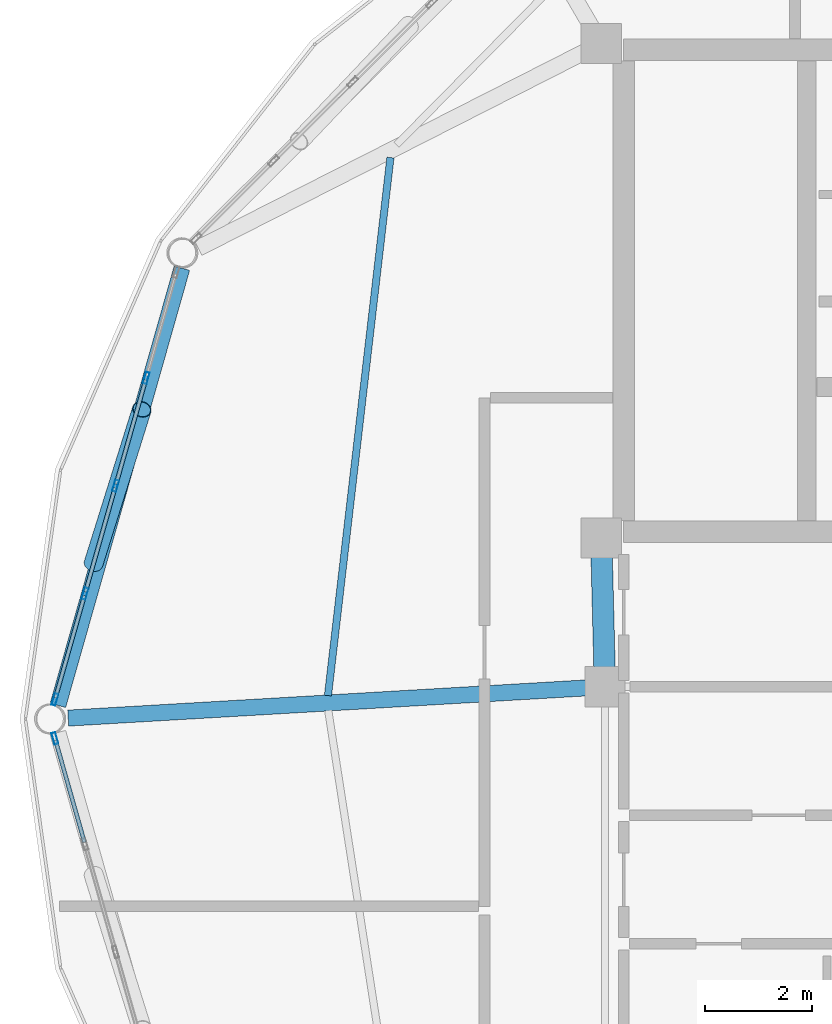
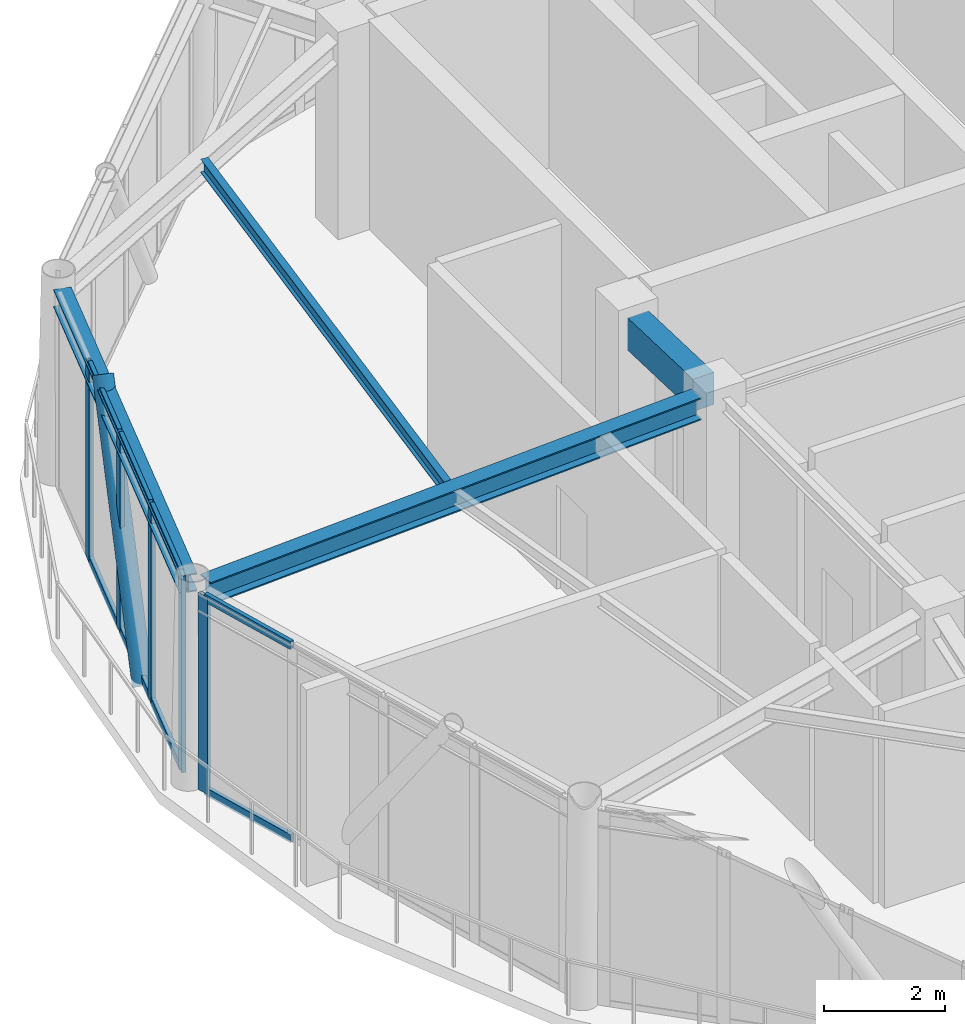
# One storey, part 8 of 21: 14 members, 4 beams, 2 elements without a shape of their own.
"""IFC4 building model written with IfcOpenShell, lengths in metres."""

import ifcopenshell
import ifcopenshell.guid

model = None  # the IFC model being written
_history = None  # IfcOwnerHistory: only IFC2X3 demands one
_inside = {}  # id of a spatial element -> (the spatial element, [elements in it])
_under = {}  # id of a project, library or spatial element -> (it, [spatial elements below it])
_declared = {}  # id of a project -> (the project, [libraries it declares])
_typed = {}  # id of a type object -> (the type object, [elements of that type])
_made_of = {}  # id of a material, layer set ... -> (it, [elements and type objects made of it])


def new_model(schema):
    """Start an empty IFC model of exactly this schema.

    Asked for "IFC4X3", IfcOpenShell would pick the latest addendum, in which some entities
    have other attributes; the version numbers below select the first issue.
    IFC2X3 requires an IfcOwnerHistory on every rooted entity: one is made here for all.
    """
    global model, _history
    if schema == "IFC4X3":
        model = ifcopenshell.file(schema_version=(4, 3, 0, 0))
    else:
        model = ifcopenshell.file(schema=schema)
    _inside.clear()
    _under.clear()
    _declared.clear()
    _typed.clear()
    _made_of.clear()
    _history = None
    if model.schema == "IFC2X3":
        org = make("IfcOrganization", Name="unknown")
        user = make(
            "IfcPersonAndOrganization",
            ThePerson=make("IfcPerson", FamilyName="unknown"),
            TheOrganization=org,
        )
        app = make(
            "IfcApplication",
            ApplicationDeveloper=org,
            Version="unknown",
            ApplicationFullName="unknown",
            ApplicationIdentifier="unknown",
        )
        _history = make(
            "IfcOwnerHistory",
            OwningUser=user,
            OwningApplication=app,
            ChangeAction="ADDED",
            CreationDate=0,
        )
    return model


def make(cls, **values):
    """One entity of the class cls with the attributes given. An attribute that is None is left unset."""
    return model.create_entity(
        cls, **{name: value for name, value in values.items() if value is not None}
    )


def rooted(cls, **values):
    """An entity with a GlobalId (a new one), such as an element, a storey or a relation."""
    return make(cls, GlobalId=ifcopenshell.guid.new(), OwnerHistory=_history, **values)


def si_unit(unit_type, name, prefix=None):
    """IfcSIUnit, for example si_unit("LENGTHUNIT", "METRE", prefix="MILLI")."""
    return make("IfcSIUnit", UnitType=unit_type, Prefix=prefix, Name=name)


def assignment(units):
    """IfcUnitAssignment: the units of a project."""
    return None if units is None else make("IfcUnitAssignment", Units=units)


def point(xyz):
    """IfcCartesianPoint."""
    return None if xyz is None else make("IfcCartesianPoint", Coordinates=xyz)


def direction(xyz):
    """IfcDirection."""
    return None if xyz is None else make("IfcDirection", DirectionRatios=xyz)


def frame(location, z_axis=None, x_axis=None):
    """IfcAxis2Placement3D, a coordinate frame: its origin and axes. An axis left out is left unset."""
    return make(
        "IfcAxis2Placement3D",
        Location=point(location),
        Axis=direction(z_axis),
        RefDirection=direction(x_axis),
    )


def frame_2d(location, x_axis=None):
    """IfcAxis2Placement2D, a coordinate frame in the plane: its origin and x axis."""
    return make(
        "IfcAxis2Placement2D", Location=point(location), RefDirection=direction(x_axis)
    )


def origin():
    """The frame at (0, 0, 0) with its axes left unset."""
    return frame((0.0, 0.0, 0.0))


def origin_2d():
    """The frame at (0, 0) in the plane with its x axis left unset."""
    return frame_2d((0.0, 0.0))


def place(relative_to, where):
    """IfcLocalPlacement: puts the frame where relative to a parent placement (None: the world)."""
    return make(
        "IfcLocalPlacement", PlacementRelTo=relative_to, RelativePlacement=where
    )


def context(
    kind, dimensions, precision=None, world=None, true_north=None, identifier=None
):
    """IfcGeometricRepresentationContext, for example the 3D "Model" context."""
    return make(
        "IfcGeometricRepresentationContext",
        ContextIdentifier=identifier,
        ContextType=kind,
        CoordinateSpaceDimension=dimensions,
        Precision=precision,
        WorldCoordinateSystem=world,
        TrueNorth=true_north,
    )


def subcontext(parent, identifier, kind, view, scale=None):
    """IfcGeometricRepresentationSubContext, for example "Body" below "Model"."""
    return make(
        "IfcGeometricRepresentationSubContext",
        ContextIdentifier=identifier,
        ContextType=kind,
        ParentContext=parent,
        TargetScale=scale,
        TargetView=view,
    )


def project(units=None, contexts=None):
    """IfcProject with its units and contexts."""
    return rooted(
        "IfcProject",
        Name="project",
        RepresentationContexts=contexts,
        UnitsInContext=assignment(units),
    )


def spatial(cls, under=None, at=None, **own):
    """A site, building, storey or space (cls), placed at a placement, below another one or the project."""
    s = rooted(cls, ObjectPlacement=at, **own)
    if under is not None:
        _under.setdefault(under.id(), (under, []))[1].append(s)
    return s


def profile(cls, at=None, kind="AREA", **sizes):
    """A parametric profile (cls). Its sizes go by their IFC names, for example OverallWidth=200.0."""
    return make(cls, ProfileType=kind, Position=at, **sizes)


def rectangle(**sizes):
    """IfcRectangleProfileDef."""
    return profile("IfcRectangleProfileDef", **sizes)


def hollow_rectangle(**sizes):
    """IfcRectangleHollowProfileDef."""
    return profile("IfcRectangleHollowProfileDef", **sizes)


def hollow_circle(**sizes):
    """IfcCircleHollowProfileDef."""
    return profile("IfcCircleHollowProfileDef", **sizes)


def i_section(**sizes):
    """IfcIShapeProfileDef."""
    return profile("IfcIShapeProfileDef", **sizes)


def extrude(swept, where, along, depth):
    """IfcExtrudedAreaSolid: the profile swept, set in the frame where, extruded along a direction by depth."""
    return make(
        "IfcExtrudedAreaSolid",
        SweptArea=swept,
        Position=where,
        ExtrudedDirection=direction(along),
        Depth=depth,
    )


def shape(context_of_items, identifier, shape_type, items):
    """IfcShapeRepresentation: the items that make up one representation, for example the "Body"."""
    return make(
        "IfcShapeRepresentation",
        ContextOfItems=context_of_items,
        RepresentationIdentifier=identifier,
        RepresentationType=shape_type,
        Items=items,
    )


def material(Name=None, Category=None):
    """IfcMaterial."""
    return make("IfcMaterial", Name=Name, Category=Category)


def layer(
    of_material, thickness, ventilated=None, Name=None, Category=None, Priority=None
):
    """IfcMaterialLayer: one layer of a wall or slab, of a material (None: an air gap)."""
    return make(
        "IfcMaterialLayer",
        Material=of_material,
        LayerThickness=thickness,
        IsVentilated=ventilated,
        Name=Name,
        Category=Category,
        Priority=Priority,
    )


def layer_set(layers, Name=None):
    """IfcMaterialLayerSet."""
    return make("IfcMaterialLayerSet", MaterialLayers=layers, LayerSetName=Name)


def material_profile(
    of_material, cross_section, Name=None, Category=None, Priority=None
):
    """IfcMaterialProfile: a cross section and its material."""
    return make(
        "IfcMaterialProfile",
        Name=Name,
        Material=of_material,
        Profile=cross_section,
        Priority=Priority,
        Category=Category,
    )


def profile_set(profiles, Name=None, composite=None):
    """IfcMaterialProfileSet."""
    return make(
        "IfcMaterialProfileSet",
        Name=Name,
        MaterialProfiles=profiles,
        CompositeProfile=composite,
    )


def made_of(thing, what):
    """Note that an element or type object is made of a material, layer set ...; save() writes the relation."""
    if what is not None:
        _made_of.setdefault(what.id(), (what, []))[1].append(thing)
    return thing


def type_object(cls, material=None, **own):
    """A type object (cls), such as IfcWallType, which elements share."""
    return made_of(rooted(cls, **own), material)


def element(
    cls,
    number,
    at=None,
    inside=None,
    cuts=None,
    type_object=None,
    material=None,
    context=None,
    identifier="Body",
    shape_type=None,
    held_by="IfcProductDefinitionShape",
    body=None,
    shapes=None,
    **own,
):
    """One element of the class cls, such as IfcWall. Its Tag is "e" and its number.

    at: its placement. inside: the storey or other place that contains it. cuts: it is an
    opening in that element (IfcRelVoidsElement). A single representation is given by context,
    identifier, shape_type and body (its items); several are given by shapes. held_by: the class
    of the entity that holds the representations. save() writes the other relations.
    """
    e = rooted(cls, Tag="e%d" % number, ObjectPlacement=at, **own)
    if body is not None:
        shapes = [shape(context, identifier, shape_type, body)]
    if shapes is not None:
        e.Representation = make(held_by, Representations=shapes)
    if inside is not None:
        _inside.setdefault(inside.id(), (inside, []))[1].append(e)
    if cuts is not None:
        rooted(
            "IfcRelVoidsElement", RelatingBuildingElement=cuts, RelatedOpeningElement=e
        )
    if type_object is not None:
        _typed.setdefault(type_object.id(), (type_object, []))[1].append(e)
    return made_of(e, material)


def aggregate(whole, parts):
    """IfcRelAggregates: a whole, such as a stair, and the parts it consists of."""
    return rooted("IfcRelAggregates", RelatingObject=whole, RelatedObjects=parts)


def save(model, path):
    """Write the relations noted so far, then the file.

    IfcRelAggregates (storeys below a building ...), IfcRelContainedInSpatialStructure (elements
    in a storey), IfcRelDefinesByType, IfcRelAssociatesMaterial and IfcRelDeclares: one each for
    every whole, place, type object, material and project.
    """
    for whole, parts in _under.values():
        aggregate(whole, parts)
    for where, things in _inside.values():
        rooted(
            "IfcRelContainedInSpatialStructure",
            RelatedElements=things,
            RelatingStructure=where,
        )
    for kind, things in _typed.values():
        rooted("IfcRelDefinesByType", RelatedObjects=things, RelatingType=kind)
    for what, things in _made_of.values():
        rooted("IfcRelAssociatesMaterial", RelatedObjects=things, RelatingMaterial=what)
    for by, libraries in _declared.values():
        rooted("IfcRelDeclares", RelatingContext=by, RelatedDefinitions=libraries)
    model.write(path)


model = new_model("IFC4")

# Units and contexts
model_context = context("Model", 3, precision=1e-05, world=origin(), true_north=direction((0.0, 1.0)))
body_context = subcontext(model_context, "Body", "Model", "MODEL_VIEW")
ifc_project = project(units=[si_unit("LENGTHUNIT", "METRE"), si_unit("AREAUNIT", "SQUARE_METRE"), si_unit("VOLUMEUNIT", "CUBIC_METRE"), si_unit("PLANEANGLEUNIT", "RADIAN"), si_unit("MASSUNIT", "GRAM", prefix="KILO")], contexts=[model_context])

# Site, building, storey
site_placement = place(None, origin())
site = spatial("IfcSite", under=ifc_project, at=site_placement, CompositionType="ELEMENT")
building_placement = place(site_placement, origin())
building = spatial("IfcBuilding", under=site, at=building_placement, Name="Varnakorn Sky Granary", CompositionType="ELEMENT")
storey_placement = place(building_placement, frame((0.0, 0.0, 298.199951171875)))
storey = spatial("IfcBuildingStorey", under=building, at=storey_placement, Name="L76", CompositionType="ELEMENT", Elevation=298.199951171875)

# Beams
ifc_material_1 = material(Name="Concrete C50/60", Category="concrete")
ifc_material_profile_1 = material_profile(ifc_material_1, rectangle(XDim=0.39990234375, YDim=0.64990234375, at=origin_2d()), Name="RC 400x650")
ifc_profile_set_1 = profile_set([ifc_material_profile_1], Name="Concrete C50/60")
beam_type_1 = type_object("IfcBeamType", Name="BM-LIN-650", PredefinedType="LINTEL", material=ifc_profile_set_1)
beam_1_placement = place(storey_placement, frame((-2.4111328125, 3.025146484375, 3.635009765625), z_axis=(0.025227817192, -0.999681727971, 0.0), x_axis=(0.999681727971, 0.025227817192, 0.0)))
element("IfcBeam", 1, at=beam_1_placement, inside=storey, type_object=beam_type_1, Name="Core Spine Framing Beam 1 L76", PredefinedType="LINTEL", context=body_context, shape_type="SweptSolid", body=[
    extrude(rectangle(XDim=0.39990234375, YDim=0.64990234375, at=origin_2d()), origin(), (0.0, 0.0, 1.0), 2.071044921875),
])
ifc_material_2 = material(Name="Steel S355JR", Category="steel")
ifc_material_profile_2 = material_profile(ifc_material_2, i_section(OverallWidth=0.300048828125, OverallDepth=0.449951171875, WebThickness=0.013916015625, FlangeThickness=0.02587890625, at=origin_2d()), Name="HE 450 B")
ifc_profile_set_2 = profile_set([ifc_material_profile_2], Name="Steel S355JR")
beam_type_2 = type_object("IfcBeamType", Name="BM-RAD-Z5", PredefinedType="BEAM", material=ifc_profile_set_2)
beam_2_placement = place(storey_placement, frame((-2.704345703125, 0.579345703125, 3.735107421875), z_axis=(-0.998305246855, -0.058194794464, 0.0), x_axis=(0.058194794464, -0.998305246855, 0.0)))
element("IfcBeam", 2, at=beam_2_placement, inside=storey, type_object=beam_type_2, Name="Radial Floor Girder RG07 L76", PredefinedType="BEAM", context=body_context, shape_type="SweptSolid", body=[
    extrude(i_section(OverallWidth=0.300048828125, OverallDepth=0.449951171875, WebThickness=0.013916015625, FlangeThickness=0.02587890625, at=origin_2d()), origin(), (0.0, 0.0, 1.0), 9.69091796875),
])
ifc_material_profile_3 = material_profile(ifc_material_2, i_section(OverallWidth=0.135009765625, OverallDepth=0.27001953125, WebThickness=0.006591796875, FlangeThickness=0.01025390625, at=origin_2d()), Name="IPE 270")
ifc_profile_set_3 = profile_set([ifc_material_profile_3], Name="Steel S355JR")
beam_type_3 = type_object("IfcBeamType", Name="BM-SEC-Z5", PredefinedType="BEAM", material=ifc_profile_set_3)
beam_3_placement = place(storey_placement, frame((-6.35791015625, 10.48828125, 3.824951171875), z_axis=(-0.115368552642, -0.993322755735, 0.0), x_axis=(0.993322755735, -0.115368552642, 0.0)))
element("IfcBeam", 3, at=beam_3_placement, inside=storey, type_object=beam_type_3, Name="Secondary Floor Chord Beam MSB06 L76", PredefinedType="BEAM", context=body_context, shape_type="SweptSolid", body=[
    extrude(i_section(OverallWidth=0.135009765625, OverallDepth=0.27001953125, WebThickness=0.006591796875, FlangeThickness=0.01025390625, at=origin_2d()), origin(), (0.0, 0.0, 1.0), 10.11962890625),
])
ifc_material_profile_4 = material_profile(ifc_material_2, i_section(OverallWidth=0.300048828125, OverallDepth=0.360107421875, WebThickness=0.012451171875, FlangeThickness=0.0224609375, at=origin_2d()), Name="HE 360 B")
ifc_profile_set_4 = profile_set([ifc_material_profile_4], Name="Steel S355JR")
beam_type_4 = type_object("IfcBeamType", Name="BM-SPD-Z5", PredefinedType="SPANDREL", material=ifc_profile_set_4)
beam_4_placement = place(storey_placement, frame((-10.254638671875, 8.4208984375, 3.780029296875), z_axis=(-0.272855488152, -0.962055030955, 0.0), x_axis=(0.962055030955, -0.272855488152, 0.0)))
element("IfcBeam", 4, at=beam_4_placement, inside=storey, type_object=beam_type_4, Name="Perimeter Spandrel Ring Beam RB06 L76", PredefinedType="SPANDREL", context=body_context, shape_type="SweptSolid", body=[
    extrude(i_section(OverallWidth=0.300048828125, OverallDepth=0.360107421875, WebThickness=0.012451171875, FlangeThickness=0.0224609375, at=origin_2d()), origin(), (0.0, 0.0, 1.0), 8.488525390625),
])

# Curtain wall, members
ifc_material_3 = material(Name="Anodised Bronze Aluminium Alloy 6063-T6", Category="aluminium")
ifc_layer = layer(ifc_material_3, 0.22998046875, Name="Anodised Bronze Aluminium Alloy 6063-T6")
ifc_layer_set = layer_set([ifc_layer], Name="Anodised Bronze Aluminium Alloy 6063-T6")
curtain_wall_type = type_object("IfcCurtainWallType", Name="CW-LNT-1", PredefinedType="USERDEFINED", material=ifc_layer_set)
curtain_wall_1_placement = place(storey_placement, origin())
curtain_wall_1 = element("IfcCurtainWall", 5, at=curtain_wall_1_placement, inside=storey, type_object=curtain_wall_type, Name="Unitised Curtain Wall CW7 CW-L76-B06", ObjectType="CURTAIN WALL", PredefinedType="USERDEFINED")
ifc_material_profile_5 = material_profile(ifc_material_3, hollow_rectangle(XDim=0.074951171875, YDim=0.219970703125, WallThickness=0.00390625, at=origin_2d()), Name="ALU MULL 75x220")
ifc_profile_set_5 = profile_set([ifc_material_profile_5], Name="Anodised Bronze Aluminium Alloy 6063-T6")
member_type_1 = type_object("IfcMemberType", Name="CW-LNT-1-MULL", PredefinedType="MULLION", material=ifc_profile_set_5)
member_1_placement = place(storey_placement, frame((-12.6259765625, 0.36279296875, 0.0), z_axis=(0.0, 0.0, 1.0), x_axis=(-0.962012139811, 0.273006671816, 0.0)))
member_1 = element("IfcMember", 6, at=member_1_placement, type_object=member_type_1, Name="CW7 mullion 1", PredefinedType="MULLION", context=body_context, shape_type="SweptSolid", body=[
    extrude(hollow_rectangle(XDim=0.074951171875, YDim=0.219970703125, WallThickness=0.00390625, at=origin_2d()), origin(), (0.0, 0.0, 1.0), 3.9599609375),
])
member_2_placement = place(storey_placement, frame((-12.064697265625, 2.341064453125, 0.0), z_axis=(0.0, 0.0, 1.0), x_axis=(-0.962012139811, 0.273006671816, 0.0)))
member_2 = element("IfcMember", 7, at=member_2_placement, type_object=member_type_1, Name="CW7 mullion 2", PredefinedType="MULLION", context=body_context, shape_type="SweptSolid", body=[
    extrude(hollow_rectangle(XDim=0.074951171875, YDim=0.219970703125, WallThickness=0.00390625, at=origin_2d()), origin(), (0.0, 0.0, 1.0), 3.9599609375),
])
member_3_placement = place(storey_placement, frame((-11.492919921875, 4.35546875, 0.0), z_axis=(0.0, 0.0, 1.0), x_axis=(-0.962012139811, 0.273006671816, 0.0)))
member_3 = element("IfcMember", 8, at=member_3_placement, type_object=member_type_1, Name="CW7 mullion 3", PredefinedType="MULLION", context=body_context, shape_type="SweptSolid", body=[
    extrude(hollow_rectangle(XDim=0.074951171875, YDim=0.219970703125, WallThickness=0.00390625, at=origin_2d()), origin(), (0.0, 0.0, 1.0), 3.9599609375),
])
member_4_placement = place(storey_placement, frame((-10.92138671875, 6.369873046875, 0.0), z_axis=(0.0, 0.0, 1.0), x_axis=(-0.962012139811, 0.273006671816, 0.0)))
member_4 = element("IfcMember", 9, at=member_4_placement, type_object=member_type_1, Name="CW7 mullion 4", PredefinedType="MULLION", context=body_context, shape_type="SweptSolid", body=[
    extrude(hollow_rectangle(XDim=0.074951171875, YDim=0.219970703125, WallThickness=0.00390625, at=origin_2d()), origin(), (0.0, 0.0, 1.0), 3.9599609375),
])

# Curtain wall, member
curtain_wall_2_placement = place(storey_placement, origin())
curtain_wall_2 = element("IfcCurtainWall", 10, at=curtain_wall_2_placement, inside=storey, type_object=curtain_wall_type, Name="Unitised Curtain Wall CW7 CW-L76-B07", ObjectType="CURTAIN WALL", PredefinedType="USERDEFINED")
member_5_placement = place(storey_placement, frame((-12.6259765625, -0.36279296875, 0.0), z_axis=(0.0, 0.0, 1.0), x_axis=(-0.962012139811, -0.273006671816, 0.0)))
member_5 = element("IfcMember", 11, at=member_5_placement, type_object=member_type_1, Name="CW7 mullion 5", PredefinedType="MULLION", context=body_context, shape_type="SweptSolid", body=[
    extrude(hollow_rectangle(XDim=0.074951171875, YDim=0.219970703125, WallThickness=0.00390625, at=origin_2d()), origin(), (0.0, 0.0, 1.0), 3.9599609375),
])

# Member
ifc_material_profile_6 = material_profile(ifc_material_3, hollow_rectangle(XDim=0.074951171875, YDim=0.159912109375, WallThickness=0.00390625, at=origin_2d()), Name="ALU TRAN 75x160")
ifc_profile_set_6 = profile_set([ifc_material_profile_6], Name="Anodised Bronze Aluminium Alloy 6063-T6")
member_type_2 = type_object("IfcMemberType", Name="CW-LNT-1-TRAN", PredefinedType="USERDEFINED", material=ifc_profile_set_6)
member_6_placement = place(storey_placement, frame((-12.61572265625, 0.398681640625, 0.03759765625), z_axis=(0.272914310494, 0.962038345976, 0.0), x_axis=(-0.962038345976, 0.272914310494, 0.0)))
member_6 = element("IfcMember", 12, at=member_6_placement, type_object=member_type_2, Name="CW7 transom 1.1", ObjectType="TRANSOM", PredefinedType="USERDEFINED", context=body_context, shape_type="SweptSolid", body=[
    extrude(hollow_rectangle(XDim=0.074951171875, YDim=0.159912109375, WallThickness=0.00390625, at=origin_2d()), origin(), (0.0, 0.0, 1.0), 1.9814453125),
])

member_7_placement = place(storey_placement, frame((-12.61572265625, 0.398681640625, 3.922607421875), z_axis=(0.272914310494, 0.962038345976, 0.0), x_axis=(-0.962038345976, 0.272914310494, 0.0)))
member_7 = element("IfcMember", 13, at=member_7_placement, type_object=member_type_2, Name="CW7 transom 1.2", ObjectType="TRANSOM", PredefinedType="USERDEFINED", context=body_context, shape_type="SweptSolid", body=[
    extrude(hollow_rectangle(XDim=0.074951171875, YDim=0.159912109375, WallThickness=0.00390625, at=origin_2d()), origin(), (0.0, 0.0, 1.0), 1.9814453125),
])

member_8_placement = place(storey_placement, frame((-12.054443359375, 2.377197265625, 0.03759765625), z_axis=(0.273059643534, 0.961997105543, 0.0), x_axis=(-0.961997105543, 0.273059643534, 0.0)))
member_8 = element("IfcMember", 14, at=member_8_placement, type_object=member_type_2, Name="CW7 transom 2.1", ObjectType="TRANSOM", PredefinedType="USERDEFINED", context=body_context, shape_type="SweptSolid", body=[
    extrude(hollow_rectangle(XDim=0.074951171875, YDim=0.159912109375, WallThickness=0.00390625, at=origin_2d()), origin(), (0.0, 0.0, 1.0), 2.018798828125),
])

member_9_placement = place(storey_placement, frame((-12.054443359375, 2.377197265625, 3.922607421875), z_axis=(0.273059643534, 0.961997105543, 0.0), x_axis=(-0.961997105543, 0.273059643534, 0.0)))
member_9 = element("IfcMember", 15, at=member_9_placement, type_object=member_type_2, Name="CW7 transom 2.2", ObjectType="TRANSOM", PredefinedType="USERDEFINED", context=body_context, shape_type="SweptSolid", body=[
    extrude(hollow_rectangle(XDim=0.074951171875, YDim=0.159912109375, WallThickness=0.00390625, at=origin_2d()), origin(), (0.0, 0.0, 1.0), 2.018798828125),
])

member_10_placement = place(storey_placement, frame((-11.482666015625, 4.3916015625, 0.03759765625), z_axis=(0.27302788091, 0.96200612069, 0.0), x_axis=(-0.96200612069, 0.27302788091, 0.0)))
member_10 = element("IfcMember", 16, at=member_10_placement, type_object=member_type_2, Name="CW7 transom 3.1", ObjectType="TRANSOM", PredefinedType="USERDEFINED", context=body_context, shape_type="SweptSolid", body=[
    extrude(hollow_rectangle(XDim=0.074951171875, YDim=0.159912109375, WallThickness=0.00390625, at=origin_2d()), origin(), (0.0, 0.0, 1.0), 2.01904296875),
])

member_11_placement = place(storey_placement, frame((-11.482666015625, 4.3916015625, 3.922607421875), z_axis=(0.27302788091, 0.96200612069, 0.0), x_axis=(-0.96200612069, 0.27302788091, 0.0)))
member_11 = element("IfcMember", 17, at=member_11_placement, type_object=member_type_2, Name="CW7 transom 3.2", ObjectType="TRANSOM", PredefinedType="USERDEFINED", context=body_context, shape_type="SweptSolid", body=[
    extrude(hollow_rectangle(XDim=0.074951171875, YDim=0.159912109375, WallThickness=0.00390625, at=origin_2d()), origin(), (0.0, 0.0, 1.0), 2.01904296875),
])

aggregate(curtain_wall_1, [member_1, member_2, member_3, member_4, member_6, member_7, member_8, member_9, member_10, member_11])

member_12_placement = place(storey_placement, frame((-12.074951171875, -2.304931640625, 0.03759765625), z_axis=(-0.272914310494, 0.962038345976, 0.0), x_axis=(-0.962038345976, -0.272914310494, 0.0)))
member_12 = element("IfcMember", 18, at=member_12_placement, type_object=member_type_2, Name="CW7 transom 4.1", ObjectType="TRANSOM", PredefinedType="USERDEFINED", context=body_context, shape_type="SweptSolid", body=[
    extrude(hollow_rectangle(XDim=0.074951171875, YDim=0.159912109375, WallThickness=0.00390625, at=origin_2d()), origin(), (0.0, 0.0, 1.0), 1.9814453125),
])

member_13_placement = place(storey_placement, frame((-12.074951171875, -2.304931640625, 3.922607421875), z_axis=(-0.272914310494, 0.962038345976, 0.0), x_axis=(-0.962038345976, -0.272914310494, 0.0)))
member_13 = element("IfcMember", 19, at=member_13_placement, type_object=member_type_2, Name="CW7 transom 4.2", ObjectType="TRANSOM", PredefinedType="USERDEFINED", context=body_context, shape_type="SweptSolid", body=[
    extrude(hollow_rectangle(XDim=0.074951171875, YDim=0.159912109375, WallThickness=0.00390625, at=origin_2d()), origin(), (0.0, 0.0, 1.0), 1.9814453125),
])

aggregate(curtain_wall_2, [member_5, member_12, member_13])

ifc_material_4 = material(Name="Steel S460M", Category="steel")
ifc_material_profile_7 = material_profile(ifc_material_4, hollow_circle(Radius=0.177734375, WallThickness=0.01416015625, at=origin_2d()), Name="CHS 355.6x14")
ifc_profile_set_7 = profile_set([ifc_material_profile_7], Name="Steel S460M")
member_type_3 = type_object("IfcMemberType", Name="MB-DIAG-T5", PredefinedType="BRACE", material=ifc_profile_set_7)
member_14_placement = place(storey_placement, frame((-11.905029296875, 2.90380859375, -0.1298828125), z_axis=(0.17392656984, 0.555096812184, 0.81339847394), x_axis=(-0.954255154981, 0.29899347684, 0.0)))
element("IfcMember", 20, at=member_14_placement, inside=storey, type_object=member_type_3, Name="Perimeter CHS Diagrid Brace DG06 L76", PredefinedType="BRACE", context=body_context, shape_type="SweptSolid", body=[
    extrude(hollow_circle(Radius=0.177734375, WallThickness=0.01416015625, at=origin_2d()), origin(), (0.0, 0.0, 1.0), 5.18798828125),
])

save(model, "model.ifc")
